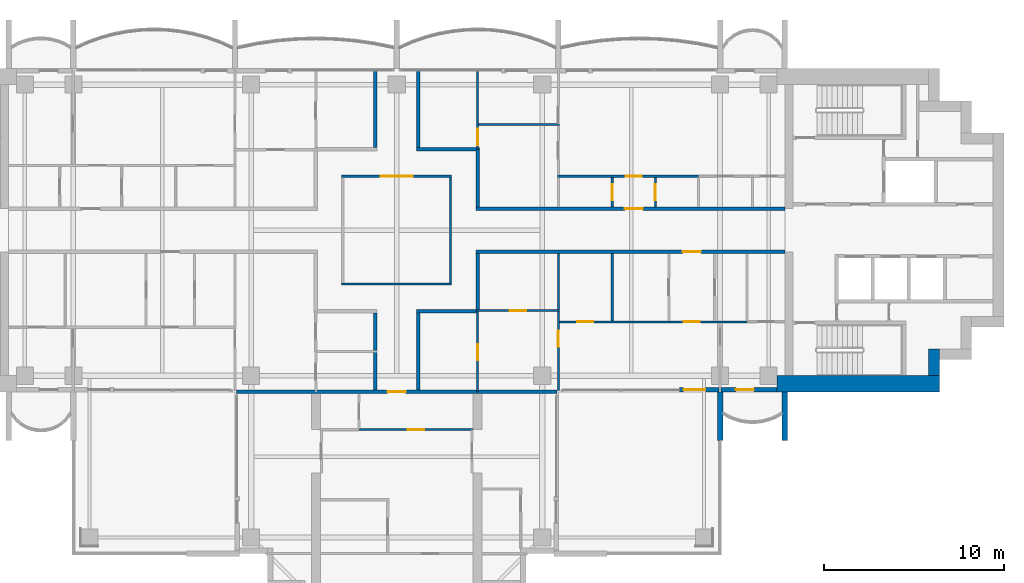
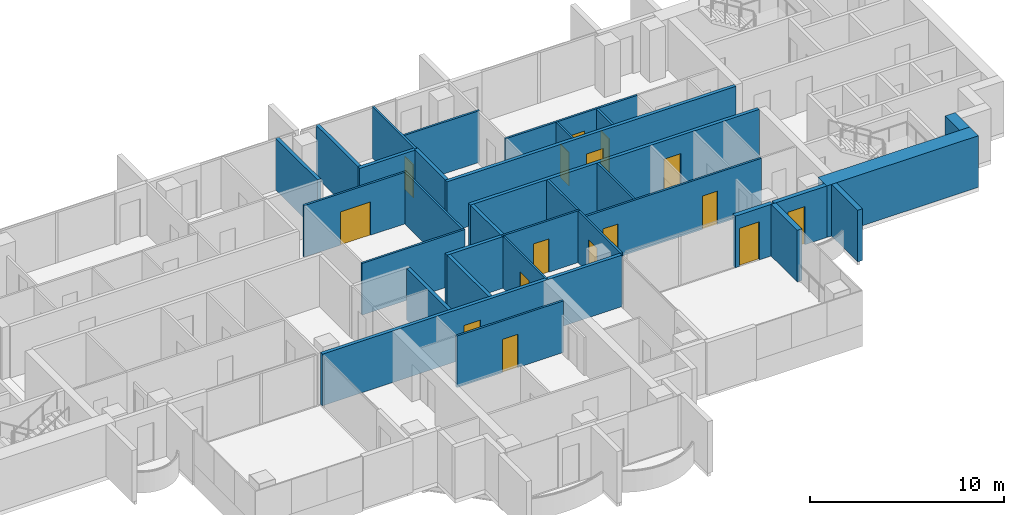
# One storey, part 11 of 17: 31 walls, 16 doors, 16 openings.
"""IFC4 building model written with IfcOpenShell, lengths in metres."""

from ifc_helpers import new_model, si_unit, direction, frame, frame_2d, origin, place, context, subcontext, project, spatial, rectangle, extrude, material, layer, layer_set, type_object, element, fill, save


model = new_model("IFC4")

# Units and contexts
model_context = context("Model", 3, precision=1e-05, world=origin(), true_north=direction((0.0, 1.0)))
body_context = subcontext(model_context, "Body", "Model", "MODEL_VIEW")
ifc_project = project(units=[si_unit("LENGTHUNIT", "METRE"), si_unit("AREAUNIT", "SQUARE_METRE"), si_unit("VOLUMEUNIT", "CUBIC_METRE"), si_unit("PLANEANGLEUNIT", "RADIAN"), si_unit("MASSUNIT", "GRAM", prefix="KILO")], contexts=[model_context])

# Site, building, storey
site_placement = place(None, origin())
site = spatial("IfcSite", under=ifc_project, at=site_placement, CompositionType="ELEMENT")
building_placement = place(site_placement, origin())
building = spatial("IfcBuilding", under=site, at=building_placement, Name="Perihelion Cross Residences", CompositionType="ELEMENT")
storey_placement = place(building_placement, frame((0.0, 0.0, 212.10009765625)))
storey = spatial("IfcBuildingStorey", under=building, at=storey_placement, Name="L53", CompositionType="ELEMENT", Elevation=212.10009765625)

# Wall, opening, door
ifc_material_1 = material(Name="Plasterboard partition")
ifc_layer_1 = layer(ifc_material_1, 0.199951171875)
ifc_layer_set_1 = layer_set([ifc_layer_1], Name="Apartment separation wall 200")
wall_type_1 = type_object("IfcWallType", Name="Apartment separation wall 200", PredefinedType="PARTITIONING", material=ifc_layer_set_1)
wall_1_placement = place(storey_placement, frame((4.39990234375, 1.199951171875, 0.0), z_axis=(0.0, 0.0, 1.0), x_axis=(1.0, 0.0, 0.0)))
wall_1 = element("IfcWall", 1, at=wall_1_placement, inside=storey, type_object=wall_type_1, Name="Partition L53 W005", PredefinedType="PARTITIONING", context=body_context, shape_type="SweptSolid", body=[
    extrude(rectangle(XDim=17.2001953125, YDim=0.199951171875, at=frame_2d((8.60009765625, 0.0))), origin(), (0.0, 0.0, 1.0), 3.25),
])
opening_1_placement = place(wall_1_placement, frame((8.300048828125, 0.0, 0.0)))
opening_1 = element("IfcOpeningElement", 2, at=opening_1_placement, cuts=wall_1, Name="Opening L53.A41", PredefinedType="OPENING", context=body_context, shape_type="SweptSolid", body=[
    extrude(rectangle(XDim=1.0, YDim=2.10009765625, at=frame_2d((0.5, 1.050048828125))), frame((0.0, 0.10986328125, 0.0), z_axis=(0.0, -1.0, 0.0), x_axis=(1.0, 0.0, 0.0)), (0.0, 0.0, 1.0), 0.219970703125),
])
ifc_material_2 = material(Name="Timber door leaf", Category="wood")
door_type_1 = type_object("IfcDoorType", Name="Flat entrance door 1000 x 2100", OperationType="SINGLE_SWING_LEFT", PredefinedType="DOOR", material=ifc_material_2)
door_1_placement = place(opening_1_placement, origin())
door_1 = element("IfcDoor", 3, at=door_1_placement, inside=storey, type_object=door_type_1, Name="Door L53.A41", OperationType="SINGLE_SWING_RIGHT", OverallHeight=2.10009765625, OverallWidth=1.0, PredefinedType="DOOR", context=body_context, shape_type="SweptSolid", body=[
    extrude(rectangle(XDim=1.0, YDim=2.10009765625, at=frame_2d((0.5, 1.050048828125))), frame((0.0, 0.02490234375, 0.0), z_axis=(0.0, -1.0, 0.0), x_axis=(1.0, 0.0, 0.0)), (0.0, 0.0, 1.0), 0.050048828125),
])
fill(opening_1, door_1)

# Walls
wall_2_placement = place(storey_placement, frame((4.5, 4.5, 0.0), z_axis=(0.0, 0.0, 1.0), x_axis=(0.0, -1.0, 0.0)))
element("IfcWall", 4, at=wall_2_placement, inside=storey, type_object=wall_type_1, Name="Partition L53 W006", PredefinedType="PARTITIONING", context=body_context, shape_type="SweptSolid", body=[
    extrude(rectangle(XDim=3.199951171875, YDim=0.199951171875, at=frame_2d((1.60009765625, 0.0))), origin(), (0.0, 0.0, 1.0), 3.25),
])
wall_3_placement = place(storey_placement, frame((1.199951171875, 8.919921875, 0.0), z_axis=(0.0, 0.0, 1.0), x_axis=(0.0, -1.0, 0.0)))
element("IfcWall", 5, at=wall_3_placement, inside=storey, type_object=wall_type_1, Name="Partition L53 W007", PredefinedType="PARTITIONING", context=body_context, shape_type="SweptSolid", body=[
    extrude(rectangle(XDim=4.31982421875, YDim=0.199951171875, at=frame_2d((2.159912109375, 0.0))), origin(), (0.0, 0.0, 1.0), 3.25),
])
wall_4_placement = place(storey_placement, frame((1.10009765625, 4.5, 0.0), z_axis=(0.0, 0.0, 1.0), x_axis=(1.0, 0.0, 0.0)))
element("IfcWall", 6, at=wall_4_placement, inside=storey, type_object=wall_type_1, Name="Partition L53 W008", PredefinedType="PARTITIONING", context=body_context, shape_type="SweptSolid", body=[
    extrude(rectangle(XDim=3.5, YDim=0.199951171875, at=frame_2d((1.75, 0.0))), origin(), (0.0, 0.0, 1.0), 3.25),
])

# Wall, opening, door
wall_5_placement = place(storey_placement, frame((21.60009765625, -1.199951171875, 0.0), z_axis=(0.0, 0.0, 1.0), x_axis=(-1.0, 0.0, 0.0)))
wall_5 = element("IfcWall", 7, at=wall_5_placement, inside=storey, type_object=wall_type_1, Name="Partition L53 W009", PredefinedType="PARTITIONING", context=body_context, shape_type="SweptSolid", body=[
    extrude(rectangle(XDim=17.2001953125, YDim=0.199951171875, at=frame_2d((8.60009765625, 0.0))), origin(), (0.0, 0.0, 1.0), 3.25),
])
opening_2_placement = place(wall_5_placement, frame((4.675048828125, 0.0, 0.0)))
opening_2 = element("IfcOpeningElement", 8, at=opening_2_placement, cuts=wall_5, Name="Opening L53.A42", PredefinedType="OPENING", context=body_context, shape_type="SweptSolid", body=[
    extrude(rectangle(XDim=1.0, YDim=2.10009765625, at=frame_2d((0.5, 1.050048828125))), frame((0.0, 0.10986328125, 0.0), z_axis=(0.0, -1.0, 0.0), x_axis=(1.0, 0.0, 0.0)), (0.0, 0.0, 1.0), 0.219970703125),
])
door_2_placement = place(opening_2_placement, origin())
door_2 = element("IfcDoor", 9, at=door_2_placement, inside=storey, type_object=door_type_1, Name="Door L53.A42", OperationType="SINGLE_SWING_RIGHT", OverallHeight=2.10009765625, OverallWidth=1.0, PredefinedType="DOOR", context=body_context, shape_type="SweptSolid", body=[
    extrude(rectangle(XDim=1.0, YDim=2.10009765625, at=frame_2d((0.5, 1.050048828125))), frame((0.0, 0.02490234375, 0.0), z_axis=(0.0, -1.0, 0.0), x_axis=(1.0, 0.0, 0.0)), (0.0, 0.0, 1.0), 0.050048828125),
])
fill(opening_2, door_2)

# Walls
wall_6_placement = place(storey_placement, frame((4.5, -1.300048828125, 0.0), z_axis=(0.0, 0.0, 1.0), x_axis=(0.0, -1.0, 0.0)))
element("IfcWall", 10, at=wall_6_placement, inside=storey, type_object=wall_type_1, Name="Partition L53 W010", PredefinedType="PARTITIONING", context=body_context, shape_type="SweptSolid", body=[
    extrude(rectangle(XDim=3.115966796875, YDim=0.199951171875, at=frame_2d((1.55810546875, 0.0))), origin(), (0.0, 0.0, 1.0), 3.25),
])
wall_7_placement = place(storey_placement, frame((4.56005859375, -4.5, 0.0), z_axis=(0.0, 0.0, 1.0), x_axis=(-1.0, 0.0, 0.0)))
element("IfcWall", 11, at=wall_7_placement, inside=storey, type_object=wall_type_1, Name="Partition L53 W011", PredefinedType="PARTITIONING", context=body_context, shape_type="SweptSolid", body=[
    extrude(rectangle(XDim=3.4599609375, YDim=0.199951171875, at=frame_2d((1.72998046875, 0.0))), origin(), (0.0, 0.0, 1.0), 3.25),
])
wall_8_placement = place(storey_placement, frame((1.199951171875, -4.60009765625, 0.0), z_axis=(0.0, 0.0, 1.0), x_axis=(0.0, -1.0, 0.0)))
element("IfcWall", 12, at=wall_8_placement, inside=storey, type_object=wall_type_1, Name="Partition L53 W012", PredefinedType="PARTITIONING", context=body_context, shape_type="SweptSolid", body=[
    extrude(rectangle(XDim=4.2998046875, YDim=0.199951171875, at=frame_2d((2.14990234375, 0.0))), origin(), (0.0, 0.0, 1.0), 3.25),
])
wall_9_placement = place(storey_placement, frame((-1.199951171875, 4.60009765625, 0.0), z_axis=(0.0, 0.0, 1.0), x_axis=(0.0, 1.0, 0.0)))
element("IfcWall", 13, at=wall_9_placement, inside=storey, type_object=wall_type_1, Name="Partition L53 W016", PredefinedType="PARTITIONING", context=body_context, shape_type="SweptSolid", body=[
    extrude(rectangle(XDim=4.31982421875, YDim=0.199951171875, at=frame_2d((2.159912109375, 0.0))), origin(), (0.0, 0.0, 1.0), 3.25),
])
wall_10_placement = place(storey_placement, frame((-1.199951171875, -8.89990234375, 0.0), z_axis=(0.0, 0.0, 1.0), x_axis=(0.0, 1.0, 0.0)))
element("IfcWall", 14, at=wall_10_placement, inside=storey, type_object=wall_type_1, Name="Partition L53 W019", PredefinedType="PARTITIONING", context=body_context, shape_type="SweptSolid", body=[
    extrude(rectangle(XDim=4.2998046875, YDim=0.199951171875, at=frame_2d((2.14990234375, 0.0))), origin(), (0.0, 0.0, 1.0), 3.25),
])

# Wall, opening, door
wall_11_placement = place(storey_placement, frame((8.919921875, -9.0, 0.0), z_axis=(0.0, 0.0, 1.0), x_axis=(-1.0, 0.0, 0.0)))
wall_11 = element("IfcWall", 15, at=wall_11_placement, inside=storey, type_object=wall_type_1, Name="Partition L53 W021", PredefinedType="PARTITIONING", context=body_context, shape_type="SweptSolid", body=[
    extrude(rectangle(XDim=17.83984375, YDim=0.199951171875, at=frame_2d((8.919921875, 0.0))), origin(), (0.0, 0.0, 1.0), 3.25),
])
opening_3_placement = place(wall_11_placement, frame((8.419921875, 0.0, 0.0)))
opening_3 = element("IfcOpeningElement", 16, at=opening_3_placement, cuts=wall_11, Name="Opening L53.A35", PredefinedType="OPENING", context=body_context, shape_type="SweptSolid", body=[
    extrude(rectangle(XDim=1.0, YDim=2.10009765625, at=frame_2d((0.5, 1.050048828125))), frame((0.0, 0.10986328125, 0.0), z_axis=(0.0, -1.0, 0.0), x_axis=(1.0, 0.0, 0.0)), (0.0, 0.0, 1.0), 0.219970703125),
])
door_3_placement = place(opening_3_placement, origin())
door_3 = element("IfcDoor", 17, at=door_3_placement, inside=storey, type_object=door_type_1, Name="Door L53.A35", OperationType="SINGLE_SWING_LEFT", OverallHeight=2.10009765625, OverallWidth=1.0, PredefinedType="DOOR", context=body_context, shape_type="SweptSolid", body=[
    extrude(rectangle(XDim=1.0, YDim=2.10009765625, at=frame_2d((0.5, 1.050048828125))), frame((0.0, 0.02490234375, 0.0), z_axis=(0.0, -1.0, 0.0), x_axis=(1.0, 0.0, 0.0)), (0.0, 0.0, 1.0), 0.050048828125),
])
fill(opening_3, door_3)

ifc_material_3 = material(Name="Concrete C30/37, bronze-clad", Category="concrete")
ifc_layer_2 = layer(ifc_material_3, 0.25)
ifc_layer_set_2 = layer_set([ifc_layer_2], Name="Bronze-clad pier wall 250")
wall_type_2 = type_object("IfcWallType", Name="Bronze-clad pier wall 250", PredefinedType="SOLIDWALL", material=ifc_layer_set_2)
wall_12_placement = place(storey_placement, frame((15.72509765625, -8.875, 0.0), z_axis=(0.0, 0.0, 1.0), x_axis=(1.0, 0.0, 0.0)))
wall_12 = element("IfcWall", 18, at=wall_12_placement, inside=storey, type_object=wall_type_2, Name="Wall FW1 L53 east side south bay 1 pier", PredefinedType="SOLIDWALL", context=body_context, shape_type="SweptSolid", body=[
    extrude(rectangle(XDim=2.21484375, YDim=0.25, at=frame_2d((1.107421875, 0.0))), origin(), (0.0, 0.0, 1.0), 3.25),
])
opening_4_placement = place(wall_12_placement, frame((0.25, 0.0, 0.0)))
opening_4 = element("IfcOpeningElement", 19, at=opening_4_placement, cuts=wall_12, Name="Opening L53.E13", PredefinedType="OPENING", context=body_context, shape_type="SweptSolid", body=[
    extrude(rectangle(XDim=1.199951171875, YDim=2.39990234375, at=frame_2d((0.60009765625, 1.199951171875))), frame((0.0, 0.135009765625, 0.0), z_axis=(0.0, -1.0, 0.0), x_axis=(1.0, 0.0, 0.0)), (0.0, 0.0, 1.0), 0.27001953125),
])
ifc_material_4 = material(Name="Bronze anodised aluminium, glazed", Category="aluminium")
door_type_2 = type_object("IfcDoorType", Name="Balcony door 1200 x 2400", OperationType="NOTDEFINED", PredefinedType="DOOR", material=ifc_material_4)
door_4_placement = place(opening_4_placement, origin())
door_4 = element("IfcDoor", 20, at=door_4_placement, inside=storey, type_object=door_type_2, Name="Door L53.E13 east side south bay 1", OperationType="SINGLE_SWING_LEFT", OverallHeight=2.39990234375, OverallWidth=1.199951171875, PredefinedType="DOOR", context=body_context, shape_type="SweptSolid", body=[
    extrude(rectangle(XDim=1.199951171875, YDim=2.39990234375, at=frame_2d((0.60009765625, 1.199951171875))), frame((0.0, 0.02490234375, 0.0), z_axis=(0.0, -1.0, 0.0), x_axis=(1.0, 0.0, 0.0)), (0.0, 0.0, 1.0), 0.050048828125),
])
fill(opening_4, door_4)

wall_13_placement = place(storey_placement, frame((18.06005859375, -8.875, 0.0), z_axis=(0.0, 0.0, 1.0), x_axis=(1.0, 0.0, 0.0)))
wall_13 = element("IfcWall", 21, at=wall_13_placement, inside=storey, type_object=wall_type_2, Name="Wall FW1 L53 east side south bay 2 pier", PredefinedType="SOLIDWALL", context=body_context, shape_type="SweptSolid", body=[
    extrude(rectangle(XDim=3.114990234375, YDim=0.25, at=frame_2d((1.5576171875, 0.0))), origin(), (0.0, 0.0, 1.0), 3.25),
])
opening_5_placement = place(wall_13_placement, frame((0.81494140625, 0.0, 0.0)))
opening_5 = element("IfcOpeningElement", 22, at=opening_5_placement, cuts=wall_13, Name="Opening L53.E14", PredefinedType="OPENING", context=body_context, shape_type="SweptSolid", body=[
    extrude(rectangle(XDim=1.0, YDim=2.39990234375, at=frame_2d((0.5, 1.199951171875))), frame((0.0, 0.135009765625, 0.0), z_axis=(0.0, -1.0, 0.0), x_axis=(1.0, 0.0, 0.0)), (0.0, 0.0, 1.0), 0.27001953125),
])
ifc_material_5 = material(Name="Bronze anodised aluminium, glazed", Category="aluminium")
door_type_3 = type_object("IfcDoorType", Name="Balcony door 1000 x 2400", OperationType="NOTDEFINED", PredefinedType="DOOR", material=ifc_material_5)
door_5_placement = place(opening_5_placement, origin())
door_5 = element("IfcDoor", 23, at=door_5_placement, inside=storey, type_object=door_type_3, Name="Door L53.E14 east side south bay 2", OperationType="SINGLE_SWING_RIGHT", OverallHeight=2.39990234375, OverallWidth=1.0, PredefinedType="DOOR", context=body_context, shape_type="SweptSolid", body=[
    extrude(rectangle(XDim=1.0, YDim=2.39990234375, at=frame_2d((0.5, 1.199951171875))), frame((0.0, 0.02490234375, 0.0), z_axis=(0.0, -1.0, 0.0), x_axis=(1.0, 0.0, 0.0)), (0.0, 0.0, 1.0), 0.050048828125),
])
fill(opening_5, door_5)

# Walls
ifc_material_6 = material(Name="Concrete C60/75", Category="concrete")
ifc_layer_3 = layer(ifc_material_6, 0.60009765625)
ifc_layer_set_3 = layer_set([ifc_layer_3], Name="Core wall, outer 600")
wall_type_3 = type_object("IfcWallType", Name="Core wall, outer 600", PredefinedType="SHEAR", material=ifc_layer_set_3)
wall_14_placement = place(storey_placement, frame((29.89990234375, -8.10009765625, 0.0), z_axis=(0.0, 0.0, 1.0), x_axis=(0.0, 1.0, 0.0)))
element("IfcWall", 24, at=wall_14_placement, inside=storey, type_object=wall_type_3, Name="East core core wall, outer", PredefinedType="SHEAR", context=body_context, shape_type="SweptSolid", body=[
    extrude(rectangle(XDim=1.5, YDim=0.60009765625, at=frame_2d((0.75, 0.0))), origin(), (0.0, 0.0, 1.0), 3.25),
])
ifc_material_7 = material(Name="Concrete C60/75", Category="concrete")
ifc_layer_4 = layer(ifc_material_7, 0.89990234375)
ifc_layer_set_4 = layer_set([ifc_layer_4], Name="Core wall, outer 900")
wall_type_4 = type_object("IfcWallType", Name="Core wall, outer 900", PredefinedType="SHEAR", material=ifc_layer_set_4)
wall_15_placement = place(storey_placement, frame((21.175048828125, -8.550048828125, 0.0), z_axis=(0.0, 0.0, 1.0), x_axis=(1.0, 0.0, 0.0)))
element("IfcWall", 25, at=wall_15_placement, inside=storey, type_object=wall_type_4, Name="East core core wall, outer", PredefinedType="SHEAR", context=body_context, shape_type="SweptSolid", body=[
    extrude(rectangle(XDim=9.02490234375, YDim=0.89990234375, at=frame_2d((4.512451171875, 0.0))), origin(), (0.0, 0.0, 1.0), 3.25),
])
ifc_material_8 = material(Name="Plasterboard partition")
ifc_layer_5 = layer(ifc_material_8, 0.1201171875)
ifc_layer_set_5 = layer_set([ifc_layer_5], Name="Partition wall 120")
wall_type_5 = type_object("IfcWallType", Name="Partition wall 120", PredefinedType="PARTITIONING", material=ifc_layer_set_5)
wall_16_placement = place(storey_placement, frame((-3.06005859375, -3.0, 0.0), z_axis=(0.0, 0.0, 1.0), x_axis=(1.0, 0.0, 0.0)))
element("IfcWall", 26, at=wall_16_placement, inside=storey, type_object=wall_type_5, Name="Partition L53 W001", PredefinedType="PARTITIONING", context=body_context, shape_type="SweptSolid", body=[
    extrude(rectangle(XDim=6.1201171875, YDim=0.1201171875, at=frame_2d((3.06005859375, 0.0))), origin(), (0.0, 0.0, 1.0), 3.25),
])
wall_17_placement = place(storey_placement, frame((3.0, -2.93994140625, 0.0), z_axis=(0.0, 0.0, 1.0), x_axis=(0.0, 1.0, 0.0)))
element("IfcWall", 27, at=wall_17_placement, inside=storey, type_object=wall_type_5, Name="Partition L53 W002", PredefinedType="PARTITIONING", context=body_context, shape_type="SweptSolid", body=[
    extrude(rectangle(XDim=5.8798828125, YDim=0.1201171875, at=frame_2d((2.93994140625, 0.0))), origin(), (0.0, 0.0, 1.0), 3.25),
])

# Wall, opening, door
wall_18_placement = place(storey_placement, frame((3.06005859375, 3.0, 0.0), z_axis=(0.0, 0.0, 1.0), x_axis=(-1.0, 0.0, 0.0)))
wall_18 = element("IfcWall", 28, at=wall_18_placement, inside=storey, type_object=wall_type_5, Name="Partition L53 W003", PredefinedType="PARTITIONING", context=body_context, shape_type="SweptSolid", body=[
    extrude(rectangle(XDim=6.1201171875, YDim=0.1201171875, at=frame_2d((3.06005859375, 0.0))), origin(), (0.0, 0.0, 1.0), 3.25),
])
opening_6_placement = place(wall_18_placement, frame((2.159912109375, 0.0, 0.0)))
opening_6 = element("IfcOpeningElement", 29, at=opening_6_placement, cuts=wall_18, Name="Opening L53.A01", PredefinedType="OPENING", context=body_context, shape_type="SweptSolid", body=[
    extrude(rectangle(XDim=1.800048828125, YDim=2.10009765625, at=frame_2d((0.89990234375, 1.050048828125))), frame((0.0, 0.070068359375, 0.0), z_axis=(0.0, -1.0, 0.0), x_axis=(1.0, 0.0, 0.0)), (0.0, 0.0, 1.0), 0.14013671875),
])
ifc_material_9 = material(Name="Glazed timber door leaf", Category="wood")
door_type_4 = type_object("IfcDoorType", Name="Interior double leaf door 1800 x 2100", OperationType="DOUBLE_DOOR_SINGLE_SWING", PredefinedType="DOOR", material=ifc_material_9)
door_6_placement = place(opening_6_placement, origin())
door_6 = element("IfcDoor", 30, at=door_6_placement, inside=storey, type_object=door_type_4, Name="Door L53.A01", OperationType="SINGLE_SWING_LEFT", OverallHeight=2.10009765625, OverallWidth=1.800048828125, PredefinedType="DOOR", context=body_context, shape_type="SweptSolid", body=[
    extrude(rectangle(XDim=1.800048828125, YDim=2.10009765625, at=frame_2d((0.89990234375, 1.050048828125))), frame((0.0, 0.02490234375, 0.0), z_axis=(0.0, -1.0, 0.0), x_axis=(1.0, 0.0, 0.0)), (0.0, 0.0, 1.0), 0.050048828125),
])
fill(opening_6, door_6)

wall_19_placement = place(storey_placement, frame((12.0, 2.93994140625, 0.0), z_axis=(0.0, 0.0, 1.0), x_axis=(0.0, -1.0, 0.0)))
wall_19 = element("IfcWall", 31, at=wall_19_placement, inside=storey, type_object=wall_type_5, Name="Partition L53 W022", PredefinedType="PARTITIONING", context=body_context, shape_type="SweptSolid", body=[
    extrude(rectangle(XDim=1.639892578125, YDim=0.1201171875, at=frame_2d((0.81982421875, 0.0))), origin(), (0.0, 0.0, 1.0), 3.25),
])
opening_7_placement = place(wall_19_placement, frame((0.3701171875, 0.0, 0.0)))
opening_7 = element("IfcOpeningElement", 32, at=opening_7_placement, cuts=wall_19, Name="Opening L53.A05", PredefinedType="OPENING", context=body_context, shape_type="SweptSolid", body=[
    extrude(rectangle(XDim=0.89990234375, YDim=2.10009765625, at=frame_2d((0.449951171875, 1.050048828125))), frame((0.0, 0.070068359375, 0.0), z_axis=(0.0, -1.0, 0.0), x_axis=(1.0, 0.0, 0.0)), (0.0, 0.0, 1.0), 0.14013671875),
])
ifc_material_10 = material(Name="Timber door leaf", Category="wood")
door_type_5 = type_object("IfcDoorType", Name="Interior room door 900 x 2100", OperationType="SINGLE_SWING_LEFT", PredefinedType="DOOR", material=ifc_material_10)
door_7_placement = place(opening_7_placement, origin())
door_7 = element("IfcDoor", 33, at=door_7_placement, inside=storey, type_object=door_type_5, Name="Door L53.A05", OperationType="SINGLE_SWING_RIGHT", OverallHeight=2.10009765625, OverallWidth=0.89990234375, PredefinedType="DOOR", context=body_context, shape_type="SweptSolid", body=[
    extrude(rectangle(XDim=0.89990234375, YDim=2.10009765625, at=frame_2d((0.449951171875, 1.050048828125))), frame((0.0, 0.02490234375, 0.0), z_axis=(0.0, -1.0, 0.0), x_axis=(1.0, 0.0, 0.0)), (0.0, 0.0, 1.0), 0.050048828125),
])
fill(opening_7, door_7)

wall_20_placement = place(storey_placement, frame((8.93994140625, 3.0, 0.0), z_axis=(0.0, 0.0, 1.0), x_axis=(1.0, 0.0, 0.0)))
wall_20 = element("IfcWall", 34, at=wall_20_placement, inside=storey, type_object=wall_type_5, Name="Partition L53 W023", PredefinedType="PARTITIONING", context=body_context, shape_type="SweptSolid", body=[
    extrude(rectangle(XDim=7.860107421875, YDim=0.1201171875, at=frame_2d((3.93017578125, 0.0))), origin(), (0.0, 0.0, 1.0), 3.25),
])
opening_8_placement = place(wall_20_placement, frame((3.81005859375, 0.0, 0.0)))
opening_8 = element("IfcOpeningElement", 35, at=opening_8_placement, cuts=wall_20, Name="Opening L53.A08", PredefinedType="OPENING", context=body_context, shape_type="SweptSolid", body=[
    extrude(rectangle(XDim=0.89990234375, YDim=2.10009765625, at=frame_2d((0.449951171875, 1.050048828125))), frame((0.0, 0.070068359375, 0.0), z_axis=(0.0, -1.0, 0.0), x_axis=(1.0, 0.0, 0.0)), (0.0, 0.0, 1.0), 0.14013671875),
])
door_8_placement = place(opening_8_placement, origin())
door_8 = element("IfcDoor", 36, at=door_8_placement, inside=storey, type_object=door_type_5, Name="Door L53.A08", OperationType="SINGLE_SWING_LEFT", OverallHeight=2.10009765625, OverallWidth=0.89990234375, PredefinedType="DOOR", context=body_context, shape_type="SweptSolid", body=[
    extrude(rectangle(XDim=0.89990234375, YDim=2.10009765625, at=frame_2d((0.449951171875, 1.050048828125))), frame((0.0, 0.02490234375, 0.0), z_axis=(0.0, -1.0, 0.0), x_axis=(1.0, 0.0, 0.0)), (0.0, 0.0, 1.0), 0.050048828125),
])
fill(opening_8, door_8)

wall_21_placement = place(storey_placement, frame((14.39990234375, 2.93994140625, 0.0), z_axis=(0.0, 0.0, 1.0), x_axis=(0.0, -1.0, 0.0)))
wall_21 = element("IfcWall", 37, at=wall_21_placement, inside=storey, type_object=wall_type_5, Name="Partition L53 W025", PredefinedType="PARTITIONING", context=body_context, shape_type="SweptSolid", body=[
    extrude(rectangle(XDim=1.639892578125, YDim=0.1201171875, at=frame_2d((0.81982421875, 0.0))), origin(), (0.0, 0.0, 1.0), 3.25),
])
opening_9_placement = place(wall_21_placement, frame((0.3701171875, 0.0, 0.0)))
opening_9 = element("IfcOpeningElement", 38, at=opening_9_placement, cuts=wall_21, Name="Opening L53.A09", PredefinedType="OPENING", context=body_context, shape_type="SweptSolid", body=[
    extrude(rectangle(XDim=0.89990234375, YDim=2.10009765625, at=frame_2d((0.449951171875, 1.050048828125))), frame((0.0, 0.070068359375, 0.0), z_axis=(0.0, -1.0, 0.0), x_axis=(1.0, 0.0, 0.0)), (0.0, 0.0, 1.0), 0.14013671875),
])
door_9_placement = place(opening_9_placement, origin())
door_9 = element("IfcDoor", 39, at=door_9_placement, inside=storey, type_object=door_type_5, Name="Door L53.A09", OperationType="SINGLE_SWING_LEFT", OverallHeight=2.10009765625, OverallWidth=0.89990234375, PredefinedType="DOOR", context=body_context, shape_type="SweptSolid", body=[
    extrude(rectangle(XDim=0.89990234375, YDim=2.10009765625, at=frame_2d((0.449951171875, 1.050048828125))), frame((0.0, 0.02490234375, 0.0), z_axis=(0.0, -1.0, 0.0), x_axis=(1.0, 0.0, 0.0)), (0.0, 0.0, 1.0), 0.050048828125),
])
fill(opening_9, door_9)

# Wall
wall_22_placement = place(storey_placement, frame((4.43994140625, 5.8798828125, 0.0), z_axis=(0.0, 0.0, 1.0), x_axis=(1.0, 0.0, 0.0)))
element("IfcWall", 40, at=wall_22_placement, inside=storey, type_object=wall_type_5, Name="Partition L53 W030", PredefinedType="PARTITIONING", context=body_context, shape_type="SweptSolid", body=[
    extrude(rectangle(XDim=4.6201171875, YDim=0.1201171875, at=frame_2d((2.31005859375, 0.0))), origin(), (0.0, 0.0, 1.0), 3.25),
])

# Wall, opening, door
wall_23_placement = place(storey_placement, frame((4.5, 4.5, 0.0), z_axis=(0.0, 0.0, 1.0), x_axis=(0.0, 1.0, 0.0)))
wall_23 = element("IfcWall", 41, at=wall_23_placement, inside=storey, type_object=wall_type_5, Name="Partition L53 W031", PredefinedType="PARTITIONING", context=body_context, shape_type="SweptSolid", body=[
    extrude(rectangle(XDim=4.419921875, YDim=0.1201171875, at=frame_2d((2.2099609375, 0.0))), origin(), (0.0, 0.0, 1.0), 3.25),
])
opening_10_placement = place(wall_23_placement, frame((0.239990234375, 0.0, 0.0)))
opening_10 = element("IfcOpeningElement", 42, at=opening_10_placement, cuts=wall_23, Name="Opening L53.A03", PredefinedType="OPENING", context=body_context, shape_type="SweptSolid", body=[
    extrude(rectangle(XDim=0.89990234375, YDim=2.10009765625, at=frame_2d((0.449951171875, 1.050048828125))), frame((0.0, 0.070068359375, 0.0), z_axis=(0.0, -1.0, 0.0), x_axis=(1.0, 0.0, 0.0)), (0.0, 0.0, 1.0), 0.14013671875),
])
door_10_placement = place(opening_10_placement, origin())
door_10 = element("IfcDoor", 43, at=door_10_placement, inside=storey, type_object=door_type_5, Name="Door L53.A03", OperationType="SINGLE_SWING_LEFT", OverallHeight=2.10009765625, OverallWidth=0.89990234375, PredefinedType="DOOR", context=body_context, shape_type="SweptSolid", body=[
    extrude(rectangle(XDim=0.89990234375, YDim=2.10009765625, at=frame_2d((0.449951171875, 1.050048828125))), frame((0.0, 0.02490234375, 0.0), z_axis=(0.0, -1.0, 0.0), x_axis=(1.0, 0.0, 0.0)), (0.0, 0.0, 1.0), 0.050048828125),
])
fill(opening_10, door_10)

# Wall
wall_24_placement = place(storey_placement, frame((12.0, -1.300048828125, 0.0), z_axis=(0.0, 0.0, 1.0), x_axis=(0.0, -1.0, 0.0)))
element("IfcWall", 44, at=wall_24_placement, inside=storey, type_object=wall_type_5, Name="Partition L53 W032", PredefinedType="PARTITIONING", context=body_context, shape_type="SweptSolid", body=[
    extrude(rectangle(XDim=3.739990234375, YDim=0.1201171875, at=frame_2d((1.8701171875, 0.0))), origin(), (0.0, 0.0, 1.0), 3.25),
])

# Wall, openings, doors
wall_25_placement = place(storey_placement, frame((19.5, -5.10009765625, 0.0), z_axis=(0.0, 0.0, 1.0), x_axis=(-1.0, 0.0, 0.0)))
wall_25 = element("IfcWall", 45, at=wall_25_placement, inside=storey, type_object=wall_type_5, Name="Partition L53 W033", PredefinedType="PARTITIONING", context=body_context, shape_type="SweptSolid", body=[
    extrude(rectangle(XDim=10.56005859375, YDim=0.1201171875, at=frame_2d((5.280029296875, 0.0))), origin(), (0.0, 0.0, 1.0), 3.25),
])
opening_11_placement = place(wall_25_placement, frame((8.550048828125, 0.0, 0.0)))
opening_11 = element("IfcOpeningElement", 46, at=opening_11_placement, cuts=wall_25, Name="Opening L53.A11", PredefinedType="OPENING", context=body_context, shape_type="SweptSolid", body=[
    extrude(rectangle(XDim=0.89990234375, YDim=2.10009765625, at=frame_2d((0.449951171875, 1.050048828125))), frame((0.0, 0.070068359375, 0.0), z_axis=(0.0, -1.0, 0.0), x_axis=(1.0, 0.0, 0.0)), (0.0, 0.0, 1.0), 0.14013671875),
])
opening_12_placement = place(wall_25_placement, frame((2.625, 0.0, 0.0)))
opening_12 = element("IfcOpeningElement", 47, at=opening_12_placement, cuts=wall_25, Name="Opening L53.A15", PredefinedType="OPENING", context=body_context, shape_type="SweptSolid", body=[
    extrude(rectangle(XDim=0.89990234375, YDim=2.10009765625, at=frame_2d((0.449951171875, 1.050048828125))), frame((0.0, 0.070068359375, 0.0), z_axis=(0.0, -1.0, 0.0), x_axis=(1.0, 0.0, 0.0)), (0.0, 0.0, 1.0), 0.14013671875),
])
door_11_placement = place(opening_11_placement, origin())
door_11 = element("IfcDoor", 48, at=door_11_placement, inside=storey, type_object=door_type_5, Name="Door L53.A11", OperationType="SINGLE_SWING_LEFT", OverallHeight=2.10009765625, OverallWidth=0.89990234375, PredefinedType="DOOR", context=body_context, shape_type="SweptSolid", body=[
    extrude(rectangle(XDim=0.89990234375, YDim=2.10009765625, at=frame_2d((0.449951171875, 1.050048828125))), frame((0.0, 0.02490234375, 0.0), z_axis=(0.0, -1.0, 0.0), x_axis=(1.0, 0.0, 0.0)), (0.0, 0.0, 1.0), 0.050048828125),
])
fill(opening_11, door_11)
door_12_placement = place(opening_12_placement, origin())
door_12 = element("IfcDoor", 49, at=door_12_placement, inside=storey, type_object=door_type_5, Name="Door L53.A15", OperationType="SINGLE_SWING_LEFT", OverallHeight=2.10009765625, OverallWidth=0.89990234375, PredefinedType="DOOR", context=body_context, shape_type="SweptSolid", body=[
    extrude(rectangle(XDim=0.89990234375, YDim=2.10009765625, at=frame_2d((0.449951171875, 1.050048828125))), frame((0.0, 0.02490234375, 0.0), z_axis=(0.0, -1.0, 0.0), x_axis=(1.0, 0.0, 0.0)), (0.0, 0.0, 1.0), 0.050048828125),
])
fill(opening_12, door_12)

# Wall, opening, door
wall_26_placement = place(storey_placement, frame((9.0, -8.919921875, 0.0), z_axis=(0.0, 0.0, 1.0), x_axis=(0.0, 1.0, 0.0)))
wall_26 = element("IfcWall", 50, at=wall_26_placement, inside=storey, type_object=wall_type_5, Name="Partition L53 W034", PredefinedType="PARTITIONING", context=body_context, shape_type="SweptSolid", body=[
    extrude(rectangle(XDim=7.619873046875, YDim=0.1201171875, at=frame_2d((3.81005859375, 0.0))), origin(), (0.0, 0.0, 1.0), 3.25),
])
opening_13_placement = place(wall_26_placement, frame((2.419921875, 0.0, 0.0)))
opening_13 = element("IfcOpeningElement", 51, at=opening_13_placement, cuts=wall_26, Name="Opening L53.A14", PredefinedType="OPENING", context=body_context, shape_type="SweptSolid", body=[
    extrude(rectangle(XDim=0.89990234375, YDim=2.10009765625, at=frame_2d((0.449951171875, 1.050048828125))), frame((0.0, 0.070068359375, 0.0), z_axis=(0.0, -1.0, 0.0), x_axis=(1.0, 0.0, 0.0)), (0.0, 0.0, 1.0), 0.14013671875),
])
door_13_placement = place(opening_13_placement, origin())
door_13 = element("IfcDoor", 52, at=door_13_placement, inside=storey, type_object=door_type_5, Name="Door L53.A14", OperationType="SINGLE_SWING_RIGHT", OverallHeight=2.10009765625, OverallWidth=0.89990234375, PredefinedType="DOOR", context=body_context, shape_type="SweptSolid", body=[
    extrude(rectangle(XDim=0.89990234375, YDim=2.10009765625, at=frame_2d((0.449951171875, 1.050048828125))), frame((0.0, 0.02490234375, 0.0), z_axis=(0.0, -1.0, 0.0), x_axis=(1.0, 0.0, 0.0)), (0.0, 0.0, 1.0), 0.050048828125),
])
fill(opening_13, door_13)

wall_27_placement = place(storey_placement, frame((9.06005859375, -4.47607421875, 0.0), z_axis=(0.0, 0.0, 1.0), x_axis=(-1.0, 0.0, 0.0)))
wall_27 = element("IfcWall", 53, at=wall_27_placement, inside=storey, type_object=wall_type_5, Name="Partition L53 W040", PredefinedType="PARTITIONING", context=body_context, shape_type="SweptSolid", body=[
    extrude(rectangle(XDim=4.66015625, YDim=0.1201171875, at=frame_2d((2.330078125, 0.0))), origin(), (0.0, 0.0, 1.0), 3.25),
])
opening_14_placement = place(wall_27_placement, frame((1.860107421875, 0.0, 0.0)))
opening_14 = element("IfcOpeningElement", 54, at=opening_14_placement, cuts=wall_27, Name="Opening L53.A12", PredefinedType="OPENING", context=body_context, shape_type="SweptSolid", body=[
    extrude(rectangle(XDim=0.89990234375, YDim=2.10009765625, at=frame_2d((0.449951171875, 1.050048828125))), frame((0.0, 0.070068359375, 0.0), z_axis=(0.0, -1.0, 0.0), x_axis=(1.0, 0.0, 0.0)), (0.0, 0.0, 1.0), 0.14013671875),
])
door_14_placement = place(opening_14_placement, origin())
door_14 = element("IfcDoor", 55, at=door_14_placement, inside=storey, type_object=door_type_5, Name="Door L53.A12", OperationType="SINGLE_SWING_LEFT", OverallHeight=2.10009765625, OverallWidth=0.89990234375, PredefinedType="DOOR", context=body_context, shape_type="SweptSolid", body=[
    extrude(rectangle(XDim=0.89990234375, YDim=2.10009765625, at=frame_2d((0.449951171875, 1.050048828125))), frame((0.0, 0.02490234375, 0.0), z_axis=(0.0, -1.0, 0.0), x_axis=(1.0, 0.0, 0.0)), (0.0, 0.0, 1.0), 0.050048828125),
])
fill(opening_14, door_14)

wall_28_placement = place(storey_placement, frame((4.5, -9.0, 0.0), z_axis=(0.0, 0.0, 1.0), x_axis=(0.0, 1.0, 0.0)))
wall_28 = element("IfcWall", 56, at=wall_28_placement, inside=storey, type_object=wall_type_5, Name="Partition L53 W041", PredefinedType="PARTITIONING", context=body_context, shape_type="SweptSolid", body=[
    extrude(rectangle(XDim=4.39990234375, YDim=0.1201171875, at=frame_2d((2.199951171875, 0.0))), origin(), (0.0, 0.0, 1.0), 3.25),
])
opening_15_placement = place(wall_28_placement, frame((1.75, 0.0, 0.0)))
opening_15 = element("IfcOpeningElement", 57, at=opening_15_placement, cuts=wall_28, Name="Opening L53.A13", PredefinedType="OPENING", context=body_context, shape_type="SweptSolid", body=[
    extrude(rectangle(XDim=0.89990234375, YDim=2.10009765625, at=frame_2d((0.449951171875, 1.050048828125))), frame((0.0, 0.070068359375, 0.0), z_axis=(0.0, -1.0, 0.0), x_axis=(1.0, 0.0, 0.0)), (0.0, 0.0, 1.0), 0.14013671875),
])
door_15_placement = place(opening_15_placement, origin())
door_15 = element("IfcDoor", 58, at=door_15_placement, inside=storey, type_object=door_type_5, Name="Door L53.A13", OperationType="SINGLE_SWING_RIGHT", OverallHeight=2.10009765625, OverallWidth=0.89990234375, PredefinedType="DOOR", context=body_context, shape_type="SweptSolid", body=[
    extrude(rectangle(XDim=0.89990234375, YDim=2.10009765625, at=frame_2d((0.449951171875, 1.050048828125))), frame((0.0, 0.02490234375, 0.0), z_axis=(0.0, -1.0, 0.0), x_axis=(1.0, 0.0, 0.0)), (0.0, 0.0, 1.0), 0.050048828125),
])
fill(opening_15, door_15)

wall_29_placement = place(storey_placement, frame((4.25, -11.10009765625, 0.0), z_axis=(0.0, 0.0, 1.0), x_axis=(-1.0, 0.0, 0.0)))
wall_29 = element("IfcWall", 59, at=wall_29_placement, inside=storey, type_object=wall_type_5, Name="Partition L53 W064", PredefinedType="PARTITIONING", context=body_context, shape_type="SweptSolid", body=[
    extrude(rectangle(XDim=6.35009765625, YDim=0.1201171875, at=frame_2d((3.175048828125, 0.0))), origin(), (0.0, 0.0, 1.0), 3.25),
])
opening_16_placement = place(wall_29_placement, frame((2.72509765625, 0.0, 0.0)))
opening_16 = element("IfcOpeningElement", 60, at=opening_16_placement, cuts=wall_29, Name="Opening L53.A37", PredefinedType="OPENING", context=body_context, shape_type="SweptSolid", body=[
    extrude(rectangle(XDim=0.89990234375, YDim=2.10009765625, at=frame_2d((0.449951171875, 1.050048828125))), frame((0.0, 0.070068359375, 0.0), z_axis=(0.0, -1.0, 0.0), x_axis=(1.0, 0.0, 0.0)), (0.0, 0.0, 1.0), 0.14013671875),
])
door_16_placement = place(opening_16_placement, origin())
door_16 = element("IfcDoor", 61, at=door_16_placement, inside=storey, type_object=door_type_5, Name="Door L53.A37", OperationType="SINGLE_SWING_RIGHT", OverallHeight=2.10009765625, OverallWidth=0.89990234375, PredefinedType="DOOR", context=body_context, shape_type="SweptSolid", body=[
    extrude(rectangle(XDim=0.89990234375, YDim=2.10009765625, at=frame_2d((0.449951171875, 1.050048828125))), frame((0.0, 0.02490234375, 0.0), z_axis=(0.0, -1.0, 0.0), x_axis=(1.0, 0.0, 0.0)), (0.0, 0.0, 1.0), 0.050048828125),
])
fill(opening_16, door_16)

# Walls
ifc_material_11 = material(Name="Precast concrete C50/60", Category="concrete")
ifc_layer_6 = layer(ifc_material_11, 0.300048828125)
ifc_layer_set_6 = layer_set([ifc_layer_6], Name="Precast concrete C50/60 blade wall 300")
wall_type_6 = type_object("IfcWallType", Name="Precast concrete C50/60 blade wall 300", PredefinedType="SOLIDWALL", material=ifc_layer_set_6)
for number, where, z_axis, x_axis, name in (
    (62, (18.0, -9.0, 0.0), (0.0, 0.0, 1.0), (0.0, -1.0, 0.0), "Wall BL1 L53 no. 10"),
    (63, (21.60009765625, -9.0, 0.0), (0.0, 0.0, 1.0), (0.0, -1.0, 0.0), "Wall BL1 L53 no. 12"),
):
    element("IfcWall", number, at=place(storey_placement, frame(where, z_axis=z_axis, x_axis=x_axis)), inside=storey, type_object=wall_type_6, Name=name, PredefinedType="SOLIDWALL", context=body_context, shape_type="SweptSolid", body=[
        extrude(rectangle(XDim=2.699951171875, YDim=0.300048828125, at=frame_2d((1.35009765625, 0.0))), origin(), (0.0, 0.0, 1.0), 3.25),
    ])

save(model, "model.ifc")
